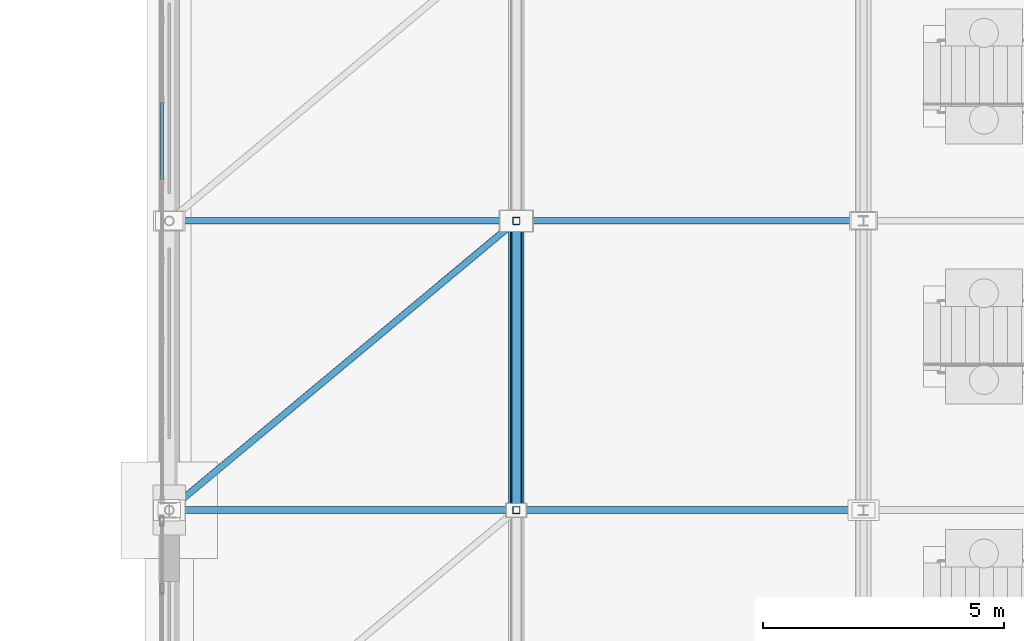
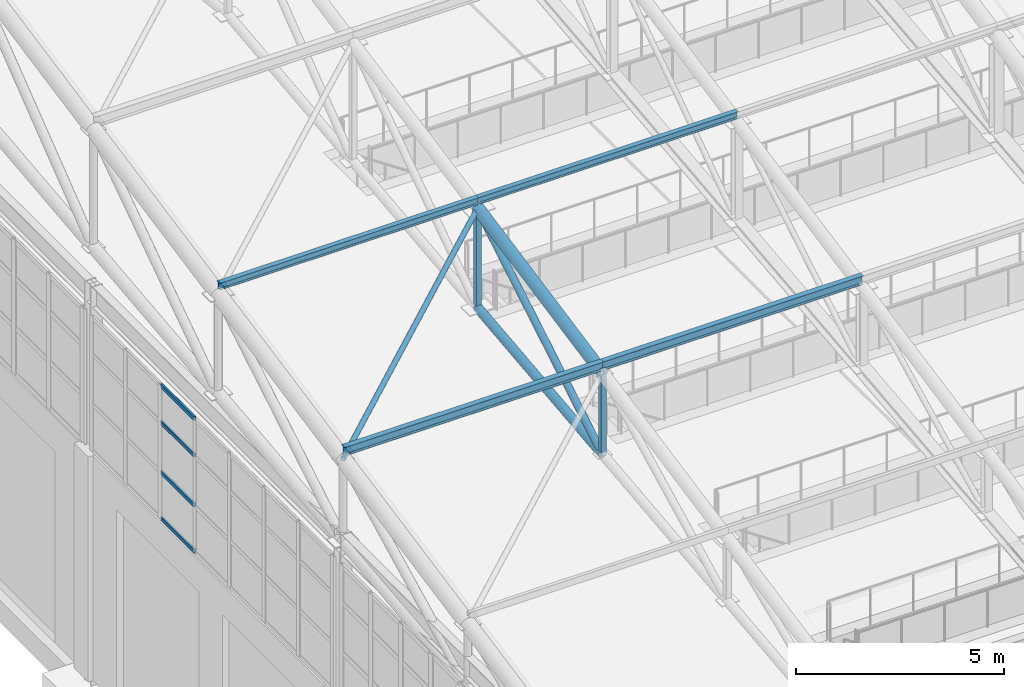
# One storey, part 116 of 293: 14 members, 1 element without a shape of its own.
"""IFC4 building model written with IfcOpenShell, lengths in metres."""

from ifc_helpers import new_model, si_unit, direction, frame, origin, origin_2d, place, context, subcontext, project, spatial, hollow_rectangle, hollow_circle, i_section, extrude, material, layer, layer_set, material_profile, profile_set, type_object, element, aggregate, save


model = new_model("IFC4")

# Units and contexts
model_context = context("Model", 3, precision=1e-05, world=origin(), true_north=direction((0.0, 1.0)))
body_context = subcontext(model_context, "Body", "Model", "MODEL_VIEW")
ifc_project = project(units=[si_unit("LENGTHUNIT", "METRE"), si_unit("AREAUNIT", "SQUARE_METRE"), si_unit("VOLUMEUNIT", "CUBIC_METRE"), si_unit("PLANEANGLEUNIT", "RADIAN"), si_unit("MASSUNIT", "GRAM", prefix="KILO")], contexts=[model_context])

# Site, building, storey
site_placement = place(None, origin())
site = spatial("IfcSite", under=ifc_project, at=site_placement, CompositionType="ELEMENT")
building_placement = place(site_placement, origin())
building = spatial("IfcBuilding", under=site, at=building_placement, Name="Kemerveld Promenade Tramway Depot", CompositionType="ELEMENT")
storey_placement = place(building_placement, origin())
storey = spatial("IfcBuildingStorey", under=building, at=storey_placement, Name="L00", CompositionType="ELEMENT", Elevation=0.0)

# Curtain wall, members
ifc_material_1 = material(Name="Bronze anodised aluminium and solar glass", Category="aluminium")
ifc_layer = layer(ifc_material_1, 0.159912109375)
ifc_layer_set = layer_set([ifc_layer], Name="CW-SYS-09")
curtain_wall_type = type_object("IfcCurtainWallType", Name="CW-SYS-09", PredefinedType="USERDEFINED", material=ifc_layer_set)
curtain_wall_placement = place(storey_placement, origin())
curtain_wall = element("IfcCurtainWall", 1, at=curtain_wall_placement, inside=storey, type_object=curtain_wall_type, Name="CW-V1-W-02", ObjectType="GLAZED_CURTAIN_WALL", PredefinedType="USERDEFINED")
ifc_material_2 = material(Name="Bronze anodised aluminium", Category="aluminium")
ifc_material_profile_1 = material_profile(ifc_material_2, hollow_rectangle(XDim=0.06005859375, YDim=0.1201171875, WallThickness=0.00390625, InnerFilletRadius=0.001953125, OuterFilletRadius=0.00390625, at=origin_2d()), Name="CW-TRN-120x60")
ifc_profile_set_1 = profile_set([ifc_material_profile_1], Name="Bronze anodised aluminium")
member_type_1 = type_object("IfcMemberType", Name="CW-TRN-A", PredefinedType="USERDEFINED", material=ifc_profile_set_1)
member_1_placement = place(storey_placement, frame((35.85009765625, 102.863525390625, 6.679931640625), z_axis=(0.0, 1.0, 0.0), x_axis=(-1.0, 0.0, 0.0)))
member_1 = element("IfcMember", 2, at=member_1_placement, type_object=member_type_1, Name="CW09 transom 5.1", ObjectType="TRANSOM", PredefinedType="USERDEFINED", context=body_context, shape_type="SweptSolid", body=[
    extrude(hollow_rectangle(XDim=0.06005859375, YDim=0.1201171875, WallThickness=0.00390625, InnerFilletRadius=0.001953125, OuterFilletRadius=0.00390625, at=origin_2d()), origin(), (0.0, 0.0, 1.0), 1.5966796875),
])
member_2_placement = place(storey_placement, frame((35.85009765625, 102.863525390625, 8.032958984375), z_axis=(0.0, 1.0, 0.0), x_axis=(-1.0, 0.0, 0.0)))
member_2 = element("IfcMember", 3, at=member_2_placement, type_object=member_type_1, Name="CW09 transom 5.2", ObjectType="TRANSOM", PredefinedType="USERDEFINED", context=body_context, shape_type="SweptSolid", body=[
    extrude(hollow_rectangle(XDim=0.06005859375, YDim=0.1201171875, WallThickness=0.00390625, InnerFilletRadius=0.001953125, OuterFilletRadius=0.00390625, at=origin_2d()), origin(), (0.0, 0.0, 1.0), 1.5966796875),
])
member_3_placement = place(storey_placement, frame((35.85009765625, 102.863525390625, 9.493896484375), z_axis=(0.0, 1.0, 0.0), x_axis=(-1.0, 0.0, 0.0)))
member_3 = element("IfcMember", 4, at=member_3_placement, type_object=member_type_1, Name="CW09 transom 5.3", ObjectType="TRANSOM", PredefinedType="USERDEFINED", context=body_context, shape_type="SweptSolid", body=[
    extrude(hollow_rectangle(XDim=0.06005859375, YDim=0.1201171875, WallThickness=0.00390625, InnerFilletRadius=0.001953125, OuterFilletRadius=0.00390625, at=origin_2d()), origin(), (0.0, 0.0, 1.0), 1.5966796875),
])
member_4_placement = place(storey_placement, frame((35.85009765625, 102.863525390625, 10.570068359375), z_axis=(0.0, 1.0, 0.0), x_axis=(-1.0, 0.0, 0.0)))
member_4 = element("IfcMember", 5, at=member_4_placement, type_object=member_type_1, Name="CW09 transom 5.4", ObjectType="TRANSOM", PredefinedType="USERDEFINED", context=body_context, shape_type="SweptSolid", body=[
    extrude(hollow_rectangle(XDim=0.06005859375, YDim=0.1201171875, WallThickness=0.00390625, InnerFilletRadius=0.001953125, OuterFilletRadius=0.00390625, at=origin_2d()), origin(), (0.0, 0.0, 1.0), 1.5966796875),
])
aggregate(curtain_wall, [member_1, member_2, member_3, member_4])

# Members
ifc_material_3 = material(Name="Steel S355", Category="steel")
ifc_material_profile_2 = material_profile(ifc_material_3, i_section(OverallWidth=0.146484375, OverallDepth=0.256103515625, WebThickness=0.00634765625, FlangeThickness=0.010986328125, FilletRadius=0.007568359375, at=origin_2d()), Name="254x146x37 UB")
ifc_profile_set_2 = profile_set([ifc_material_profile_2], Name="Steel S355")
member_type_2 = type_object("IfcMemberType", Name="MB-PR3", PredefinedType="PURLIN", material=ifc_profile_set_2)
for number, where, z_axis, x_axis, name in (
    (6, (36.0, 96.0, 13.7451171875), (1.0, 0.0, 0.0), (0.0, 1.0, 0.0), "PUR-V1-02-06"),
    (7, (43.199951171875, 96.0, 13.7451171875), (1.0, 0.0, 0.0), (0.0, 1.0, 0.0), "PUR-V1-02-07"),
):
    element("IfcMember", number, at=place(storey_placement, frame(where, z_axis=z_axis, x_axis=x_axis)), inside=storey, type_object=member_type_2, Name=name, PredefinedType="PURLIN", context=body_context, shape_type="SweptSolid", body=[
        extrude(i_section(OverallWidth=0.146484375, OverallDepth=0.256103515625, WebThickness=0.00634765625, FlangeThickness=0.010986328125, FilletRadius=0.007568359375, at=origin_2d()), origin(), (0.0, 0.0, 1.0), 7.199951171875),
    ])
ifc_material_profile_3 = material_profile(ifc_material_3, i_section(OverallWidth=0.13330078125, OverallDepth=0.203125, WebThickness=0.005615234375, FlangeThickness=0.0078125, FilletRadius=0.007568359375, at=origin_2d()), Name="203x133x25 UB")
ifc_profile_set_3 = profile_set([ifc_material_profile_3], Name="Steel S355")
member_type_3 = type_object("IfcMemberType", Name="MB-PR4", PredefinedType="PURLIN", material=ifc_profile_set_3)
for number, where, z_axis, x_axis, name in (
    (8, (36.0, 102.0, 14.945068359375), (1.0, 0.0, 0.0), (0.0, 1.0, 0.0), "PUR-V1-03-06"),
    (9, (43.199951171875, 102.0, 14.945068359375), (1.0, 0.0, 0.0), (0.0, 1.0, 0.0), "PUR-V1-03-07"),
):
    element("IfcMember", number, at=place(storey_placement, frame(where, z_axis=z_axis, x_axis=x_axis)), inside=storey, type_object=member_type_3, Name=name, PredefinedType="PURLIN", context=body_context, shape_type="SweptSolid", body=[
        extrude(i_section(OverallWidth=0.13330078125, OverallDepth=0.203125, WebThickness=0.005615234375, FlangeThickness=0.0078125, FilletRadius=0.007568359375, at=origin_2d()), origin(), (0.0, 0.0, 1.0), 7.199951171875),
    ])
ifc_material_profile_4 = material_profile(ifc_material_3, hollow_circle(Radius=0.096923828125, WallThickness=0.008056640625, at=origin_2d()), Name="193.7x8.0 CHS")
ifc_profile_set_4 = profile_set([ifc_material_profile_4], Name="Steel S355")
member_type_4 = type_object("IfcMemberType", Name="MB-TB2", PredefinedType="BRACE", material=ifc_profile_set_4)
member_5_placement = place(storey_placement, frame((43.199951171875, 96.0, 11.1201171875), z_axis=(0.0, 0.8587636701, 0.512371895128), x_axis=(-1.0, 0.0, 0.0)))
element("IfcMember", 10, at=member_5_placement, inside=storey, type_object=member_type_4, Name="TR-07-DG-03", PredefinedType="BRACE", context=body_context, shape_type="SweptSolid", body=[
    extrude(hollow_circle(Radius=0.096923828125, WallThickness=0.008056640625, at=origin_2d()), origin(), (0.0, 0.0, 1.0), 6.98681640625),
])
ifc_material_profile_5 = material_profile(ifc_material_3, hollow_circle(Radius=0.06982421875, WallThickness=0.00634765625, at=origin_2d()), Name="139.7x6.3 CHS")
ifc_profile_set_5 = profile_set([ifc_material_profile_5], Name="Steel S355")
member_type_5 = type_object("IfcMemberType", Name="MB-TB3", PredefinedType="BRACE", material=ifc_profile_set_5)
member_6_placement = place(storey_placement, frame((36.0, 96.0, 13.5), z_axis=(0.761999094998, 0.635003552225, 0.126995542773), x_axis=(-0.640186961885, 0.768219144407, 0.0)))
element("IfcMember", 11, at=member_6_placement, inside=storey, type_object=member_type_5, Name="RBR-V1-02-06", PredefinedType="BRACE", context=body_context, shape_type="SweptSolid", body=[
    extrude(hollow_circle(Radius=0.06982421875, WallThickness=0.00634765625, at=origin_2d()), origin(), (0.0, 0.0, 1.0), 9.44873046875),
])
ifc_material_profile_6 = material_profile(ifc_material_3, hollow_circle(Radius=0.161865234375, WallThickness=0.012451171875, at=origin_2d()), Name="323.9x12.5 CHS")
ifc_profile_set_6 = profile_set([ifc_material_profile_6], Name="Steel S355")
member_type_6 = type_object("IfcMemberType", Name="MB-TC2", PredefinedType="CHORD", material=ifc_profile_set_6)
member_7_placement = place(storey_placement, frame((43.199951171875, 96.0, 13.5), z_axis=(0.0, 0.980582210276, 0.196108462057), x_axis=(-1.0, 0.0, 0.0)))
element("IfcMember", 12, at=member_7_placement, inside=storey, type_object=member_type_6, Name="TR-07-TC-03", PredefinedType="CHORD", context=body_context, shape_type="SweptSolid", body=[
    extrude(hollow_circle(Radius=0.161865234375, WallThickness=0.012451171875, at=origin_2d()), origin(), (0.0, 0.0, 1.0), 6.118896484375),
])
ifc_material_profile_7 = material_profile(ifc_material_3, hollow_circle(Radius=0.122314453125, WallThickness=0.010009765625, at=origin_2d()), Name="244.5x10.0 CHS")
ifc_profile_set_7 = profile_set([ifc_material_profile_7], Name="Steel S355")
member_type_7 = type_object("IfcMemberType", Name="MB-TC3", PredefinedType="CHORD", material=ifc_profile_set_7)
member_8_placement = place(storey_placement, frame((43.199951171875, 96.0, 11.1201171875), z_axis=(0.0, 0.994005938353, 0.109326092585), x_axis=(-1.0, 0.0, 0.0)))
element("IfcMember", 13, at=member_8_placement, inside=storey, type_object=member_type_7, Name="TR-07-BC-03", PredefinedType="CHORD", context=body_context, shape_type="SweptSolid", body=[
    extrude(hollow_circle(Radius=0.122314453125, WallThickness=0.010009765625, at=origin_2d()), origin(), (0.0, 0.0, 1.0), 6.0361328125),
])
ifc_material_profile_8 = material_profile(ifc_material_3, hollow_rectangle(XDim=0.14990234375, YDim=0.14990234375, WallThickness=0.008056640625, InnerFilletRadius=0.00390625, OuterFilletRadius=0.011962890625, at=origin_2d()), Name="150x150x8.0 SHS")
ifc_profile_set_8 = profile_set([ifc_material_profile_8], Name="Steel S355")
member_type_8 = type_object("IfcMemberType", Name="MB-TP2", PredefinedType="POST", material=ifc_profile_set_8)
member_9_placement = place(storey_placement, frame((43.199951171875, 96.0, 11.1201171875), z_axis=(0.0, 0.0, 1.0), x_axis=(1.0, 0.0, 0.0)))
element("IfcMember", 14, at=member_9_placement, inside=storey, type_object=member_type_8, Name="TR-07-VT-02", PredefinedType="POST", context=body_context, shape_type="SweptSolid", body=[
    extrude(hollow_rectangle(XDim=0.14990234375, YDim=0.14990234375, WallThickness=0.008056640625, InnerFilletRadius=0.00390625, OuterFilletRadius=0.011962890625, at=origin_2d()), origin(), (0.0, 0.0, 1.0), 2.3798828125),
])
member_10_placement = place(storey_placement, frame((43.199951171875, 102.0, 11.780029296875), z_axis=(0.0, 0.0, 1.0), x_axis=(1.0, 0.0, 0.0)))
element("IfcMember", 15, at=member_10_placement, inside=storey, type_object=member_type_8, Name="TR-07-VT-03", PredefinedType="POST", context=body_context, shape_type="SweptSolid", body=[
    extrude(hollow_rectangle(XDim=0.14990234375, YDim=0.14990234375, WallThickness=0.008056640625, InnerFilletRadius=0.00390625, OuterFilletRadius=0.011962890625, at=origin_2d()), origin(), (0.0, 0.0, 1.0), 2.919921875),
])

save(model, "model.ifc")
